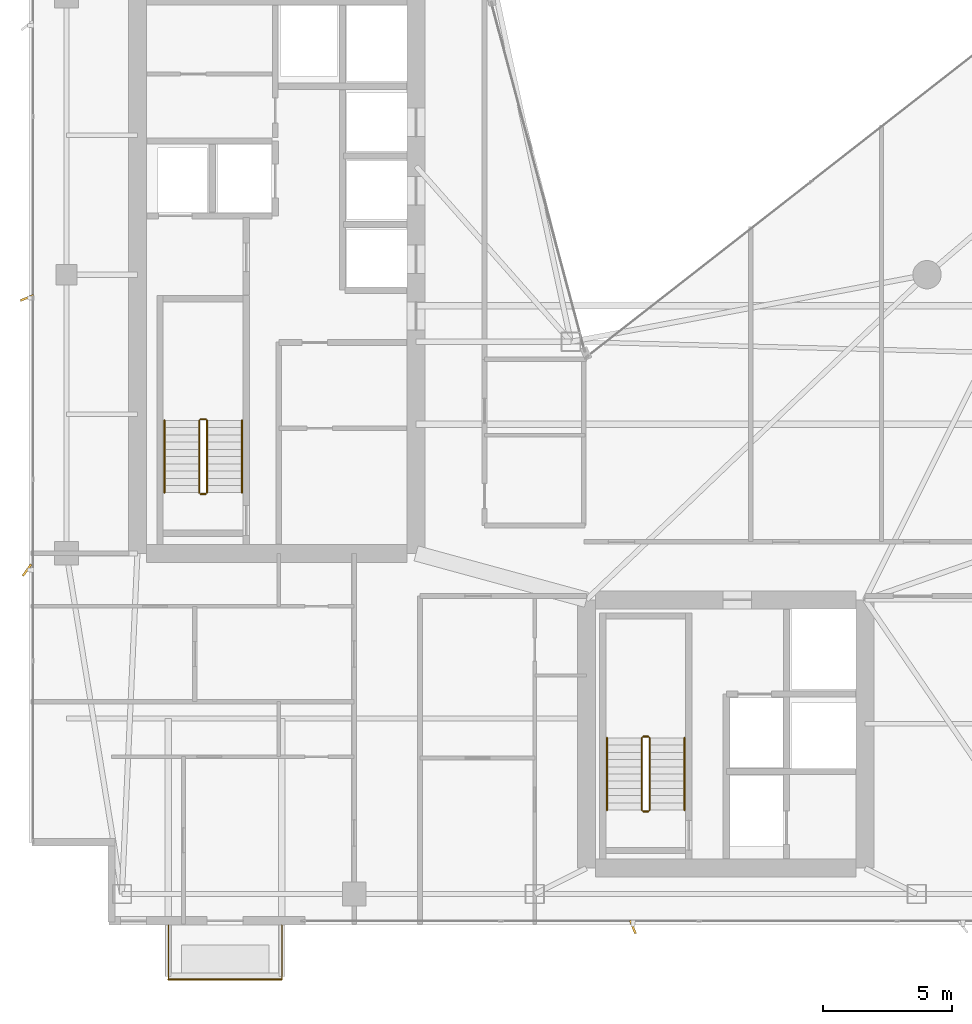
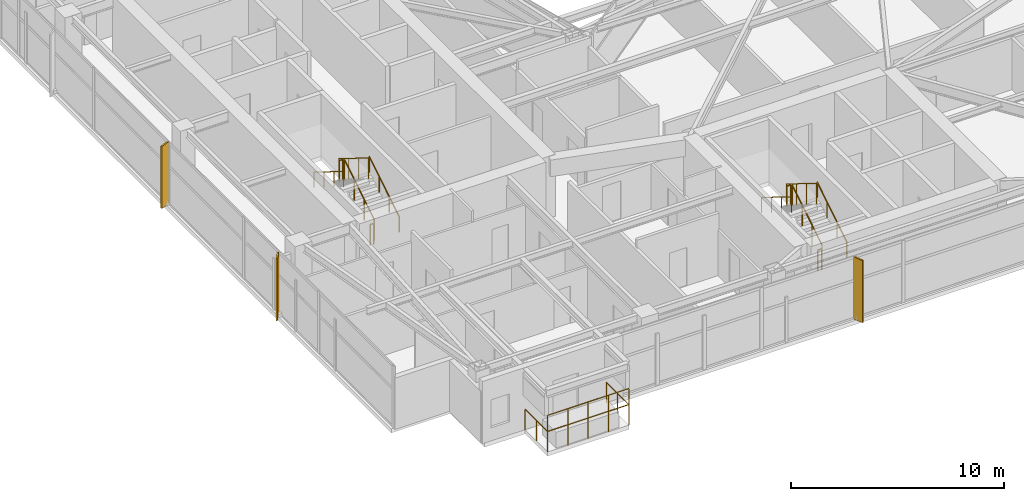
# One storey, part 29 of 30: 14 railings, 3 shading devices.
"""IFC4 building model written with IfcOpenShell, lengths in metres."""

from ifc_helpers import new_model, si_unit, direction, frame, origin, origin_2d, place, context, subcontext, project, spatial, rectangle, circle, extrude, material, type_object, element, save


model = new_model("IFC4")

# Units and contexts
model_context = context("Model", 3, precision=1e-05, world=origin(), true_north=direction((0.0, 1.0)))
body_context = subcontext(model_context, "Body", "Model", "MODEL_VIEW")
ifc_project = project(units=[si_unit("LENGTHUNIT", "METRE"), si_unit("AREAUNIT", "SQUARE_METRE"), si_unit("VOLUMEUNIT", "CUBIC_METRE"), si_unit("PLANEANGLEUNIT", "RADIAN"), si_unit("MASSUNIT", "GRAM", prefix="KILO")], contexts=[model_context])

# Site, building, storey
site_placement = place(None, origin())
site = spatial("IfcSite", under=ifc_project, at=site_placement, CompositionType="ELEMENT")
building_placement = place(site_placement, origin())
building = spatial("IfcBuilding", under=site, at=building_placement, Name="Calvorn Quay Hotel", CompositionType="ELEMENT")
storey_placement = place(building_placement, frame((0.0, 0.0, 207.199951171875)))
storey = spatial("IfcBuildingStorey", under=building, at=storey_placement, Name="L51", CompositionType="ELEMENT", Elevation=207.199951171875)

# Railings
ifc_material_1 = material(Name="Pale Anodised Aluminium and Laminated Glass", Category="aluminium")
railing_type_1 = type_object("IfcRailingType", Name="RLG-BALUSTRADE-1200", PredefinedType="BALUSTRADE", material=ifc_material_1)
railing_1_placement = place(storey_placement, frame((5.39990234375, 2.389892578125, 0.0)))
element("IfcRailing", 1, at=railing_1_placement, inside=storey, type_object=railing_type_1, Name="Tree Balcony Perimeter Balustrade L51-BALC-S", PredefinedType="BALUSTRADE", context=body_context, shape_type="SweptSolid", body=[
    extrude(circle(Radius=0.02392578125, at=origin_2d()), frame((0.0, 0.0, 1.17578125), z_axis=(0.0, -1.0, 0.0), x_axis=(1.0, 0.0, 0.0)), (0.0, 0.0, 1.0), 2.099853515625),
    extrude(circle(Radius=0.02392578125, at=origin_2d()), frame((0.0, -2.099853515625, 1.17578125), z_axis=(1.0, 0.0, 0.0), x_axis=(0.0, 1.0, 0.0)), (0.0, 0.0, 1.0), 4.400146484375),
    extrude(circle(Radius=0.02392578125, at=origin_2d()), frame((4.400146484375, -2.099853515625, 1.17578125), z_axis=(0.0, 1.0, 0.0), x_axis=(-1.0, 0.0, 0.0)), (0.0, 0.0, 1.0), 2.099853515625),
    extrude(circle(Radius=0.02099609375, at=origin_2d()), origin(), (0.0, 0.0, 1.0), 1.15185546875),
    extrude(circle(Radius=0.02099609375, at=origin_2d()), frame((0.0, -1.0498046875, 0.0)), (0.0, 0.0, 1.0), 1.15185546875),
    extrude(circle(Radius=0.02099609375, at=origin_2d()), frame((0.0, -2.099853515625, 0.0)), (0.0, 0.0, 1.0), 1.15185546875),
    extrude(circle(Radius=0.02099609375, at=origin_2d()), frame((1.10009765625, -2.099853515625, 0.0)), (0.0, 0.0, 1.0), 1.15185546875),
    extrude(circle(Radius=0.02099609375, at=origin_2d()), frame((2.2001953125, -2.099853515625, 0.0)), (0.0, 0.0, 1.0), 1.15185546875),
    extrude(circle(Radius=0.02099609375, at=origin_2d()), frame((3.300048828125, -2.099853515625, 0.0)), (0.0, 0.0, 1.0), 1.15185546875),
    extrude(circle(Radius=0.02099609375, at=origin_2d()), frame((4.400146484375, -2.099853515625, 0.0)), (0.0, 0.0, 1.0), 1.15185546875),
    extrude(circle(Radius=0.02099609375, at=origin_2d()), frame((4.400146484375, -1.0498046875, 0.0)), (0.0, 0.0, 1.0), 1.15185546875),
    extrude(circle(Radius=0.02099609375, at=origin_2d()), frame((4.400146484375, 0.0, 0.0)), (0.0, 0.0, 1.0), 1.15185546875),
])
railing_2_placement = place(storey_placement, frame((5.39990234375, 0.2900390625, 0.900146484375)))
element("IfcRailing", 2, at=railing_2_placement, inside=storey, type_object=railing_type_1, Name="Planter Kerb High Safety Screen L51-BALC-S", PredefinedType="BALUSTRADE", context=body_context, shape_type="SweptSolid", body=[
    extrude(circle(Radius=0.02392578125, at=origin_2d()), frame((0.0, 0.0, 1.19580078125), z_axis=(1.0, 0.0, 0.0), x_axis=(0.0, 1.0, 0.0)), (0.0, 0.0, 1.0), 4.400146484375),
    extrude(circle(Radius=0.02099609375, at=origin_2d()), origin(), (0.0, 0.0, 1.0), 1.171875),
    extrude(circle(Radius=0.02099609375, at=origin_2d()), frame((1.10009765625, 0.0, 0.0)), (0.0, 0.0, 1.0), 1.171875),
    extrude(circle(Radius=0.02099609375, at=origin_2d()), frame((2.2001953125, 0.0, 0.0)), (0.0, 0.0, 1.0), 1.171875),
    extrude(circle(Radius=0.02099609375, at=origin_2d()), frame((3.300048828125, 0.0, 0.0)), (0.0, 0.0, 1.0), 1.171875),
    extrude(circle(Radius=0.02099609375, at=origin_2d()), frame((4.400146484375, 0.0, 0.0)), (0.0, 0.0, 1.0), 1.171875),
])
ifc_material_2 = material(Name="Brushed Stainless Steel Handrail", Category="steel")
railing_type_2 = type_object("IfcRailingType", Name="RLG-HANDRAIL-900", PredefinedType="HANDRAIL", material=ifc_material_2)
railing_3_placement = place(storey_placement, frame((8.25, 19.14990234375, 0.1728515625)))
element("IfcRailing", 3, at=railing_3_placement, inside=storey, type_object=railing_type_2, Name="L51 ST-W stair handrail 1", PredefinedType="HANDRAIL", context=body_context, shape_type="SweptSolid", body=[
    extrude(circle(Radius=0.02392578125, at=origin_2d()), frame((0.0, 0.0, 0.8759765625), z_axis=(0.0, 0.851089632645, 0.525020415988), x_axis=(-1.0, 0.0, 0.0)), (0.0, 0.0, 1.0), 3.2900390625),
    extrude(circle(Radius=0.02099609375, at=origin_2d()), origin(), (0.0, 0.0, 1.0), 0.851806640625),
    extrude(circle(Radius=0.02099609375, at=origin_2d()), frame((0.0, 0.933349609375, 0.57568359375)), (0.0, 0.0, 1.0), 0.851806640625),
    extrude(circle(Radius=0.02099609375, at=origin_2d()), frame((0.0, 1.86669921875, 1.151611328125)), (0.0, 0.0, 1.0), 0.851806640625),
    extrude(circle(Radius=0.02099609375, at=origin_2d()), frame((0.0, 2.800048828125, 1.727294921875)), (0.0, 0.0, 1.0), 0.851806640625),
])
railing_4_placement = place(storey_placement, frame((5.25, 21.949951171875, 2.07275390625)))
element("IfcRailing", 4, at=railing_4_placement, inside=storey, type_object=railing_type_2, Name="L51 ST-W stair handrail 2", PredefinedType="HANDRAIL", context=body_context, shape_type="SweptSolid", body=[
    extrude(circle(Radius=0.02392578125, at=origin_2d()), frame((0.0, 0.0, 0.8759765625), z_axis=(0.0, -0.851089632645, 0.525020415988), x_axis=(1.0, 0.0, 0.0)), (0.0, 0.0, 1.0), 3.2900390625),
    extrude(circle(Radius=0.02099609375, at=origin_2d()), origin(), (0.0, 0.0, 1.0), 0.851806640625),
    extrude(circle(Radius=0.02099609375, at=origin_2d()), frame((0.0, -0.933349609375, 0.57568359375)), (0.0, 0.0, 1.0), 0.851806640625),
    extrude(circle(Radius=0.02099609375, at=origin_2d()), frame((0.0, -1.86669921875, 1.151611328125)), (0.0, 0.0, 1.0), 0.851806640625),
    extrude(circle(Radius=0.02099609375, at=origin_2d()), frame((0.0, -2.800048828125, 1.727294921875)), (0.0, 0.0, 1.0), 0.851806640625),
])
railing_5_placement = place(storey_placement, frame((25.39990234375, 6.85009765625, 0.1728515625)))
element("IfcRailing", 5, at=railing_5_placement, inside=storey, type_object=railing_type_2, Name="L51 ST-E stair handrail 1", PredefinedType="HANDRAIL", context=body_context, shape_type="SweptSolid", body=[
    extrude(circle(Radius=0.02392578125, at=origin_2d()), frame((0.0, 0.0, 0.8759765625), z_axis=(0.0, 0.851069175582, 0.525053576669), x_axis=(-1.0, 0.0, 0.0)), (0.0, 0.0, 1.0), 3.289794921875),
    extrude(circle(Radius=0.02099609375, at=origin_2d()), origin(), (0.0, 0.0, 1.0), 0.851806640625),
    extrude(circle(Radius=0.02099609375, at=origin_2d()), frame((0.0, 0.933349609375, 0.57568359375)), (0.0, 0.0, 1.0), 0.851806640625),
    extrude(circle(Radius=0.02099609375, at=origin_2d()), frame((0.0, 1.866455078125, 1.151611328125)), (0.0, 0.0, 1.0), 0.851806640625),
    extrude(circle(Radius=0.02099609375, at=origin_2d()), frame((0.0, 2.7998046875, 1.727294921875)), (0.0, 0.0, 1.0), 0.851806640625),
])
railing_6_placement = place(storey_placement, frame((22.39990234375, 9.64990234375, 2.07275390625)))
element("IfcRailing", 6, at=railing_6_placement, inside=storey, type_object=railing_type_2, Name="L51 ST-E stair handrail 2", PredefinedType="HANDRAIL", context=body_context, shape_type="SweptSolid", body=[
    extrude(circle(Radius=0.02392578125, at=origin_2d()), frame((0.0, 0.0, 0.8759765625), z_axis=(0.0, -0.851069175582, 0.525053576669), x_axis=(1.0, 0.0, 0.0)), (0.0, 0.0, 1.0), 3.289794921875),
    extrude(circle(Radius=0.02099609375, at=origin_2d()), origin(), (0.0, 0.0, 1.0), 0.851806640625),
    extrude(circle(Radius=0.02099609375, at=origin_2d()), frame((0.0, -0.933349609375, 0.57568359375)), (0.0, 0.0, 1.0), 0.851806640625),
    extrude(circle(Radius=0.02099609375, at=origin_2d()), frame((0.0, -1.866455078125, 1.151611328125)), (0.0, 0.0, 1.0), 0.851806640625),
    extrude(circle(Radius=0.02099609375, at=origin_2d()), frame((0.0, -2.7998046875, 1.727294921875)), (0.0, 0.0, 1.0), 0.851806640625),
])
ifc_material_3 = material(Name="Painted Galvanised Steel Balustrade", Category="steel")
railing_type_3 = type_object("IfcRailingType", Name="RLG-STAIR-GUARD-1120", PredefinedType="GUARDRAIL", material=ifc_material_3)
railing_7_placement = place(storey_placement, frame((6.89990234375, 19.14990234375, 0.1728515625)))
element("IfcRailing", 7, at=railing_7_placement, inside=storey, type_object=railing_type_3, Name="L51 ST-W stair guard 1", PredefinedType="GUARDRAIL", context=body_context, shape_type="SweptSolid", body=[
    extrude(circle(Radius=0.02392578125, at=origin_2d()), frame((0.0, 0.0, 1.17578125), z_axis=(0.0, 0.851089632645, 0.525020415988), x_axis=(-1.0, 0.0, 0.0)), (0.0, 0.0, 1.0), 3.2900390625),
    extrude(circle(Radius=0.02099609375, at=origin_2d()), origin(), (0.0, 0.0, 1.0), 1.15185546875),
    extrude(circle(Radius=0.02099609375, at=origin_2d()), frame((0.0, 0.933349609375, 0.57568359375)), (0.0, 0.0, 1.0), 1.15185546875),
    extrude(circle(Radius=0.02099609375, at=origin_2d()), frame((0.0, 1.86669921875, 1.151611328125)), (0.0, 0.0, 1.0), 1.15185546875),
    extrude(circle(Radius=0.02099609375, at=origin_2d()), frame((0.0, 2.800048828125, 1.727294921875)), (0.0, 0.0, 1.0), 1.15185546875),
])
railing_8_placement = place(storey_placement, frame((6.85009765625, 22.0, 1.900146484375)))
element("IfcRailing", 8, at=railing_8_placement, inside=storey, type_object=railing_type_3, Name="L51 ST-W stair guard 2", PredefinedType="GUARDRAIL", context=body_context, shape_type="SweptSolid", body=[
    extrude(circle(Radius=0.02392578125, at=origin_2d()), frame((0.0, 0.0, 1.17578125), z_axis=(-1.0, 0.0, 0.0), x_axis=(0.0, -1.0, 0.0)), (0.0, 0.0, 1.0), 0.2001953125),
    extrude(circle(Radius=0.02099609375, at=origin_2d()), origin(), (0.0, 0.0, 1.0), 1.15185546875),
    extrude(circle(Radius=0.02099609375, at=origin_2d()), frame((-0.2001953125, 0.0, 0.0)), (0.0, 0.0, 1.0), 1.15185546875),
])
railing_9_placement = place(storey_placement, frame((6.60009765625, 21.949951171875, 2.07275390625)))
element("IfcRailing", 9, at=railing_9_placement, inside=storey, type_object=railing_type_3, Name="L51 ST-W stair guard 3", PredefinedType="GUARDRAIL", context=body_context, shape_type="SweptSolid", body=[
    extrude(circle(Radius=0.02392578125, at=origin_2d()), frame((0.0, 0.0, 1.17578125), z_axis=(0.0, -0.851089632645, 0.525020415988), x_axis=(1.0, 0.0, 0.0)), (0.0, 0.0, 1.0), 3.2900390625),
    extrude(circle(Radius=0.02099609375, at=origin_2d()), origin(), (0.0, 0.0, 1.0), 1.15185546875),
    extrude(circle(Radius=0.02099609375, at=origin_2d()), frame((0.0, -0.933349609375, 0.57568359375)), (0.0, 0.0, 1.0), 1.15185546875),
    extrude(circle(Radius=0.02099609375, at=origin_2d()), frame((0.0, -1.86669921875, 1.151611328125)), (0.0, 0.0, 1.0), 1.15185546875),
    extrude(circle(Radius=0.02099609375, at=origin_2d()), frame((0.0, -2.800048828125, 1.727294921875)), (0.0, 0.0, 1.0), 1.15185546875),
])
railing_10_placement = place(storey_placement, frame((6.85009765625, 19.10009765625, 0.0)))
element("IfcRailing", 10, at=railing_10_placement, inside=storey, type_object=railing_type_3, Name="L51 ST-W stair guard 4", PredefinedType="GUARDRAIL", context=body_context, shape_type="SweptSolid", body=[
    extrude(circle(Radius=0.02392578125, at=origin_2d()), frame((0.0, 0.0, 1.17578125), z_axis=(-1.0, 0.0, 0.0), x_axis=(0.0, -1.0, 0.0)), (0.0, 0.0, 1.0), 0.2001953125),
    extrude(circle(Radius=0.02099609375, at=origin_2d()), origin(), (0.0, 0.0, 1.0), 1.15185546875),
    extrude(circle(Radius=0.02099609375, at=origin_2d()), frame((-0.2001953125, 0.0, 0.0)), (0.0, 0.0, 1.0), 1.15185546875),
])
railing_11_placement = place(storey_placement, frame((24.050048828125, 6.85009765625, 0.1728515625)))
element("IfcRailing", 11, at=railing_11_placement, inside=storey, type_object=railing_type_3, Name="L51 ST-E stair guard 1", PredefinedType="GUARDRAIL", context=body_context, shape_type="SweptSolid", body=[
    extrude(circle(Radius=0.02392578125, at=origin_2d()), frame((0.0, 0.0, 1.17578125), z_axis=(0.0, 0.851069175582, 0.525053576669), x_axis=(-1.0, 0.0, 0.0)), (0.0, 0.0, 1.0), 3.289794921875),
    extrude(circle(Radius=0.02099609375, at=origin_2d()), origin(), (0.0, 0.0, 1.0), 1.15185546875),
    extrude(circle(Radius=0.02099609375, at=origin_2d()), frame((0.0, 0.933349609375, 0.57568359375)), (0.0, 0.0, 1.0), 1.15185546875),
    extrude(circle(Radius=0.02099609375, at=origin_2d()), frame((0.0, 1.866455078125, 1.151611328125)), (0.0, 0.0, 1.0), 1.15185546875),
    extrude(circle(Radius=0.02099609375, at=origin_2d()), frame((0.0, 2.7998046875, 1.727294921875)), (0.0, 0.0, 1.0), 1.15185546875),
])
railing_12_placement = place(storey_placement, frame((24.0, 9.699951171875, 1.900146484375)))
element("IfcRailing", 12, at=railing_12_placement, inside=storey, type_object=railing_type_3, Name="L51 ST-E stair guard 2", PredefinedType="GUARDRAIL", context=body_context, shape_type="SweptSolid", body=[
    extrude(circle(Radius=0.02392578125, at=origin_2d()), frame((0.0, 0.0, 1.17578125), z_axis=(-1.0, 0.0, 0.0), x_axis=(0.0, -1.0, 0.0)), (0.0, 0.0, 1.0), 0.199951171875),
    extrude(circle(Radius=0.02099609375, at=origin_2d()), origin(), (0.0, 0.0, 1.0), 1.15185546875),
    extrude(circle(Radius=0.02099609375, at=origin_2d()), frame((-0.199951171875, 0.0, 0.0)), (0.0, 0.0, 1.0), 1.15185546875),
])
railing_13_placement = place(storey_placement, frame((23.75, 9.64990234375, 2.07275390625)))
element("IfcRailing", 13, at=railing_13_placement, inside=storey, type_object=railing_type_3, Name="L51 ST-E stair guard 3", PredefinedType="GUARDRAIL", context=body_context, shape_type="SweptSolid", body=[
    extrude(circle(Radius=0.02392578125, at=origin_2d()), frame((0.0, 0.0, 1.17578125), z_axis=(0.0, -0.851069175582, 0.525053576669), x_axis=(1.0, 0.0, 0.0)), (0.0, 0.0, 1.0), 3.289794921875),
    extrude(circle(Radius=0.02099609375, at=origin_2d()), origin(), (0.0, 0.0, 1.0), 1.15185546875),
    extrude(circle(Radius=0.02099609375, at=origin_2d()), frame((0.0, -0.933349609375, 0.57568359375)), (0.0, 0.0, 1.0), 1.15185546875),
    extrude(circle(Radius=0.02099609375, at=origin_2d()), frame((0.0, -1.866455078125, 1.151611328125)), (0.0, 0.0, 1.0), 1.15185546875),
    extrude(circle(Radius=0.02099609375, at=origin_2d()), frame((0.0, -2.7998046875, 1.727294921875)), (0.0, 0.0, 1.0), 1.15185546875),
])
railing_14_placement = place(storey_placement, frame((24.0, 6.800048828125, 0.0)))
element("IfcRailing", 14, at=railing_14_placement, inside=storey, type_object=railing_type_3, Name="L51 ST-E stair guard 4", PredefinedType="GUARDRAIL", context=body_context, shape_type="SweptSolid", body=[
    extrude(circle(Radius=0.02392578125, at=origin_2d()), frame((0.0, 0.0, 1.17578125), z_axis=(-1.0, 0.0, 0.0), x_axis=(0.0, -1.0, 0.0)), (0.0, 0.0, 1.0), 0.199951171875),
    extrude(circle(Radius=0.02099609375, at=origin_2d()), origin(), (0.0, 0.0, 1.0), 1.15185546875),
    extrude(circle(Radius=0.02099609375, at=origin_2d()), frame((-0.199951171875, 0.0, 0.0)), (0.0, 0.0, 1.0), 1.15185546875),
])

# Shading devices
ifc_material_4 = material(Name="Champagne Bronze Anodised Aluminium 6063-T6", Category="aluminium")
shading_device_type_1 = type_object("IfcShadingDeviceType", Name="SHD-FIN-A1", PredefinedType="USERDEFINED", material=ifc_material_4)
for number, where, z_axis, x_axis, name in (
    (15, (-0.080078125, 26.699951171875, 0.0), (0.0, 0.0, 1.0), (0.927183854567, 0.374606593416, 0.0), "Diagonal Sun-Shading Fin L51-W02"),
    (16, (23.39990234375, 2.320068359375, 0.0), (0.0, 0.0, 1.0), (-0.374606593416, 0.927183854567, 0.0), "Diagonal Sun-Shading Fin L51-S01"),
):
    element("IfcShadingDevice", number, at=place(storey_placement, frame(where, z_axis=z_axis, x_axis=x_axis)), inside=storey, type_object=shading_device_type_1, Name=name, ObjectType="FIN", PredefinedType="USERDEFINED", context=body_context, shape_type="SweptSolid", body=[
        extrude(rectangle(XDim=0.550048828125, YDim=0.080078125, at=origin_2d()), origin(), (0.0, 0.0, 1.0), 3.56005859375),
    ])
ifc_material_5 = material(Name="Champagne Bronze Anodised Aluminium 6063-T6", Category="aluminium")
shading_device_type_2 = type_object("IfcShadingDeviceType", Name="SHD-FIN-A3", PredefinedType="USERDEFINED", material=ifc_material_5)
shading_device_placement = place(storey_placement, frame((-0.080078125, 16.14990234375, 0.0), z_axis=(0.0, 0.0, 1.0), x_axis=(0.587785252292, 0.809016994375, 0.0)))
element("IfcShadingDevice", 17, at=shading_device_placement, inside=storey, type_object=shading_device_type_2, Name="Diagonal Sun-Shading Fin L51-W01", ObjectType="FIN", PredefinedType="USERDEFINED", context=body_context, shape_type="SweptSolid", body=[
    extrude(rectangle(XDim=0.550048828125, YDim=0.080078125, at=origin_2d()), origin(), (0.0, 0.0, 1.0), 3.56005859375),
])

save(model, "model.ifc")
